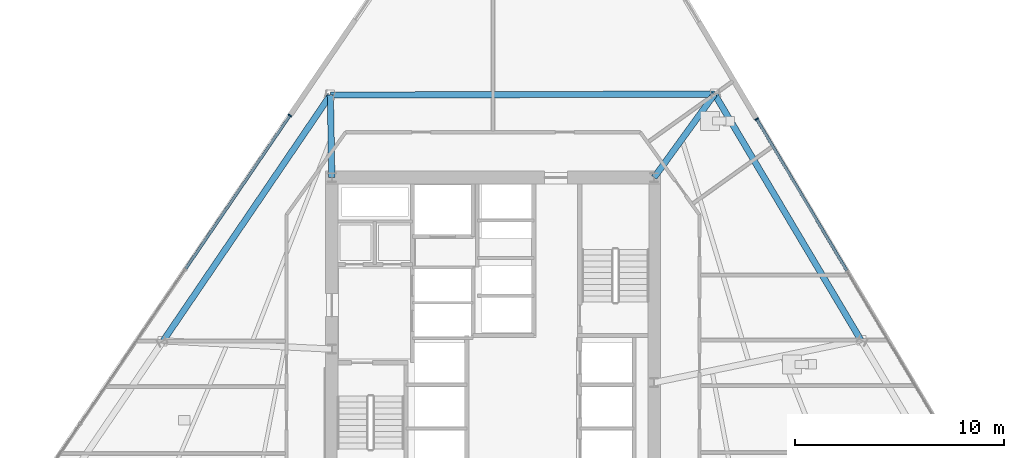
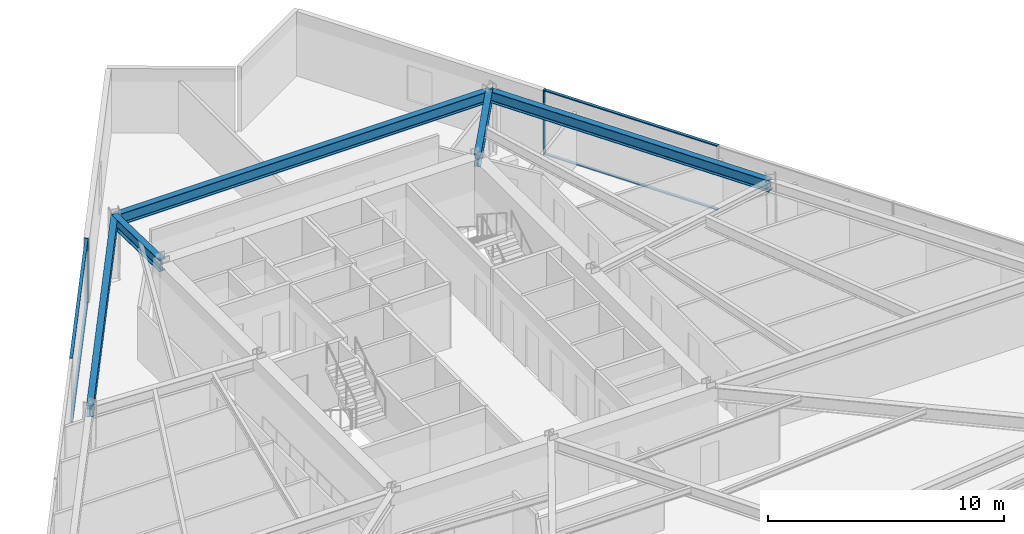
# One storey, part 7 of 18: 6 members, 5 beams, 2 elements without a shape of their own.
"""IFC4 building model written with IfcOpenShell, lengths in metres."""

import ifcopenshell
import ifcopenshell.guid

model = None  # the IFC model being written
_history = None  # IfcOwnerHistory: only IFC2X3 demands one
_inside = {}  # id of a spatial element -> (the spatial element, [elements in it])
_under = {}  # id of a project, library or spatial element -> (it, [spatial elements below it])
_declared = {}  # id of a project -> (the project, [libraries it declares])
_typed = {}  # id of a type object -> (the type object, [elements of that type])
_made_of = {}  # id of a material, layer set ... -> (it, [elements and type objects made of it])


def new_model(schema):
    """Start an empty IFC model of exactly this schema.

    Asked for "IFC4X3", IfcOpenShell would pick the latest addendum, in which some entities
    have other attributes; the version numbers below select the first issue.
    IFC2X3 requires an IfcOwnerHistory on every rooted entity: one is made here for all.
    """
    global model, _history
    if schema == "IFC4X3":
        model = ifcopenshell.file(schema_version=(4, 3, 0, 0))
    else:
        model = ifcopenshell.file(schema=schema)
    _inside.clear()
    _under.clear()
    _declared.clear()
    _typed.clear()
    _made_of.clear()
    _history = None
    if model.schema == "IFC2X3":
        org = make("IfcOrganization", Name="unknown")
        user = make(
            "IfcPersonAndOrganization",
            ThePerson=make("IfcPerson", FamilyName="unknown"),
            TheOrganization=org,
        )
        app = make(
            "IfcApplication",
            ApplicationDeveloper=org,
            Version="unknown",
            ApplicationFullName="unknown",
            ApplicationIdentifier="unknown",
        )
        _history = make(
            "IfcOwnerHistory",
            OwningUser=user,
            OwningApplication=app,
            ChangeAction="ADDED",
            CreationDate=0,
        )
    return model


def make(cls, **values):
    """One entity of the class cls with the attributes given. An attribute that is None is left unset."""
    return model.create_entity(
        cls, **{name: value for name, value in values.items() if value is not None}
    )


def rooted(cls, **values):
    """An entity with a GlobalId (a new one), such as an element, a storey or a relation."""
    return make(cls, GlobalId=ifcopenshell.guid.new(), OwnerHistory=_history, **values)


def si_unit(unit_type, name, prefix=None):
    """IfcSIUnit, for example si_unit("LENGTHUNIT", "METRE", prefix="MILLI")."""
    return make("IfcSIUnit", UnitType=unit_type, Prefix=prefix, Name=name)


def assignment(units):
    """IfcUnitAssignment: the units of a project."""
    return None if units is None else make("IfcUnitAssignment", Units=units)


def point(xyz):
    """IfcCartesianPoint."""
    return None if xyz is None else make("IfcCartesianPoint", Coordinates=xyz)


def direction(xyz):
    """IfcDirection."""
    return None if xyz is None else make("IfcDirection", DirectionRatios=xyz)


def frame(location, z_axis=None, x_axis=None):
    """IfcAxis2Placement3D, a coordinate frame: its origin and axes. An axis left out is left unset."""
    return make(
        "IfcAxis2Placement3D",
        Location=point(location),
        Axis=direction(z_axis),
        RefDirection=direction(x_axis),
    )


def frame_2d(location, x_axis=None):
    """IfcAxis2Placement2D, a coordinate frame in the plane: its origin and x axis."""
    return make(
        "IfcAxis2Placement2D", Location=point(location), RefDirection=direction(x_axis)
    )


def origin():
    """The frame at (0, 0, 0) with its axes left unset."""
    return frame((0.0, 0.0, 0.0))


def origin_2d():
    """The frame at (0, 0) in the plane with its x axis left unset."""
    return frame_2d((0.0, 0.0))


def place(relative_to, where):
    """IfcLocalPlacement: puts the frame where relative to a parent placement (None: the world)."""
    return make(
        "IfcLocalPlacement", PlacementRelTo=relative_to, RelativePlacement=where
    )


def context(
    kind, dimensions, precision=None, world=None, true_north=None, identifier=None
):
    """IfcGeometricRepresentationContext, for example the 3D "Model" context."""
    return make(
        "IfcGeometricRepresentationContext",
        ContextIdentifier=identifier,
        ContextType=kind,
        CoordinateSpaceDimension=dimensions,
        Precision=precision,
        WorldCoordinateSystem=world,
        TrueNorth=true_north,
    )


def subcontext(parent, identifier, kind, view, scale=None):
    """IfcGeometricRepresentationSubContext, for example "Body" below "Model"."""
    return make(
        "IfcGeometricRepresentationSubContext",
        ContextIdentifier=identifier,
        ContextType=kind,
        ParentContext=parent,
        TargetScale=scale,
        TargetView=view,
    )


def project(units=None, contexts=None):
    """IfcProject with its units and contexts."""
    return rooted(
        "IfcProject",
        Name="project",
        RepresentationContexts=contexts,
        UnitsInContext=assignment(units),
    )


def spatial(cls, under=None, at=None, **own):
    """A site, building, storey or space (cls), placed at a placement, below another one or the project."""
    s = rooted(cls, ObjectPlacement=at, **own)
    if under is not None:
        _under.setdefault(under.id(), (under, []))[1].append(s)
    return s


def profile(cls, at=None, kind="AREA", **sizes):
    """A parametric profile (cls). Its sizes go by their IFC names, for example OverallWidth=200.0."""
    return make(cls, ProfileType=kind, Position=at, **sizes)


def rectangle(**sizes):
    """IfcRectangleProfileDef."""
    return profile("IfcRectangleProfileDef", **sizes)


def i_section(**sizes):
    """IfcIShapeProfileDef."""
    return profile("IfcIShapeProfileDef", **sizes)


def extrude(swept, where, along, depth):
    """IfcExtrudedAreaSolid: the profile swept, set in the frame where, extruded along a direction by depth."""
    return make(
        "IfcExtrudedAreaSolid",
        SweptArea=swept,
        Position=where,
        ExtrudedDirection=direction(along),
        Depth=depth,
    )


def shape(context_of_items, identifier, shape_type, items):
    """IfcShapeRepresentation: the items that make up one representation, for example the "Body"."""
    return make(
        "IfcShapeRepresentation",
        ContextOfItems=context_of_items,
        RepresentationIdentifier=identifier,
        RepresentationType=shape_type,
        Items=items,
    )


def material(Name=None, Category=None):
    """IfcMaterial."""
    return make("IfcMaterial", Name=Name, Category=Category)


def material_profile(
    of_material, cross_section, Name=None, Category=None, Priority=None
):
    """IfcMaterialProfile: a cross section and its material."""
    return make(
        "IfcMaterialProfile",
        Name=Name,
        Material=of_material,
        Profile=cross_section,
        Priority=Priority,
        Category=Category,
    )


def profile_set(profiles, Name=None, composite=None):
    """IfcMaterialProfileSet."""
    return make(
        "IfcMaterialProfileSet",
        Name=Name,
        MaterialProfiles=profiles,
        CompositeProfile=composite,
    )


def made_of(thing, what):
    """Note that an element or type object is made of a material, layer set ...; save() writes the relation."""
    if what is not None:
        _made_of.setdefault(what.id(), (what, []))[1].append(thing)
    return thing


def type_object(cls, material=None, **own):
    """A type object (cls), such as IfcWallType, which elements share."""
    return made_of(rooted(cls, **own), material)


def element(
    cls,
    number,
    at=None,
    inside=None,
    cuts=None,
    type_object=None,
    material=None,
    context=None,
    identifier="Body",
    shape_type=None,
    held_by="IfcProductDefinitionShape",
    body=None,
    shapes=None,
    **own,
):
    """One element of the class cls, such as IfcWall. Its Tag is "e" and its number.

    at: its placement. inside: the storey or other place that contains it. cuts: it is an
    opening in that element (IfcRelVoidsElement). A single representation is given by context,
    identifier, shape_type and body (its items); several are given by shapes. held_by: the class
    of the entity that holds the representations. save() writes the other relations.
    """
    e = rooted(cls, Tag="e%d" % number, ObjectPlacement=at, **own)
    if body is not None:
        shapes = [shape(context, identifier, shape_type, body)]
    if shapes is not None:
        e.Representation = make(held_by, Representations=shapes)
    if inside is not None:
        _inside.setdefault(inside.id(), (inside, []))[1].append(e)
    if cuts is not None:
        rooted(
            "IfcRelVoidsElement", RelatingBuildingElement=cuts, RelatedOpeningElement=e
        )
    if type_object is not None:
        _typed.setdefault(type_object.id(), (type_object, []))[1].append(e)
    return made_of(e, material)


def aggregate(whole, parts):
    """IfcRelAggregates: a whole, such as a stair, and the parts it consists of."""
    return rooted("IfcRelAggregates", RelatingObject=whole, RelatedObjects=parts)


def save(model, path):
    """Write the relations noted so far, then the file.

    IfcRelAggregates (storeys below a building ...), IfcRelContainedInSpatialStructure (elements
    in a storey), IfcRelDefinesByType, IfcRelAssociatesMaterial and IfcRelDeclares: one each for
    every whole, place, type object, material and project.
    """
    for whole, parts in _under.values():
        aggregate(whole, parts)
    for where, things in _inside.values():
        rooted(
            "IfcRelContainedInSpatialStructure",
            RelatedElements=things,
            RelatingStructure=where,
        )
    for kind, things in _typed.values():
        rooted("IfcRelDefinesByType", RelatedObjects=things, RelatingType=kind)
    for what, things in _made_of.values():
        rooted("IfcRelAssociatesMaterial", RelatedObjects=things, RelatingMaterial=what)
    for by, libraries in _declared.values():
        rooted("IfcRelDeclares", RelatingContext=by, RelatedDefinitions=libraries)
    model.write(path)


model = new_model("IFC4")

# Units and contexts
model_context = context("Model", 3, precision=1e-05, world=origin(), true_north=direction((0.0, 1.0)))
body_context = subcontext(model_context, "Body", "Model", "MODEL_VIEW")
ifc_project = project(units=[si_unit("LENGTHUNIT", "METRE"), si_unit("AREAUNIT", "SQUARE_METRE"), si_unit("VOLUMEUNIT", "CUBIC_METRE"), si_unit("PLANEANGLEUNIT", "RADIAN"), si_unit("MASSUNIT", "GRAM", prefix="KILO")], contexts=[model_context])

# Site, building, storey
site_placement = place(None, origin())
site = spatial("IfcSite", under=ifc_project, at=site_placement, CompositionType="ELEMENT")
building_placement = place(site_placement, origin())
building = spatial("IfcBuilding", under=site, at=building_placement, Name="Savorim Split Tower", CompositionType="ELEMENT")
storey_placement = place(building_placement, frame((0.0, 0.0, 48.0)))
storey = spatial("IfcBuildingStorey", under=building, at=storey_placement, Name="L12", CompositionType="ELEMENT", Elevation=48.0)

# Beams
ifc_material_1 = material(Name="Steel S355", Category="steel")
ifc_material_profile_1 = material_profile(ifc_material_1, i_section(OverallWidth=0.300048828125, OverallDepth=0.60009765625, WebThickness=0.015380859375, FlangeThickness=0.030029296875, FilletRadius=0.027099609375, at=origin_2d()), Name="HEB 600")
ifc_profile_set_1 = profile_set([ifc_material_profile_1], Name="Steel S355")
beam_type_1 = type_object("IfcBeamType", Name="BM-PRI-HEB600", PredefinedType="BEAM", material=ifc_profile_set_1)
beam_1_placement = place(storey_placement, frame((10.58935546875, 14.186279296875, 3.050048828125), z_axis=(-0.586876557832, -0.809676420471, 0.0), x_axis=(0.809676420471, -0.586876557832, 0.0)))
element("IfcBeam", 1, at=beam_1_placement, inside=storey, type_object=beam_type_1, Name="L12 Primary Floor Girder RG-07", PredefinedType="BEAM", context=body_context, shape_type="SweptSolid", body=[
    extrude(i_section(OverallWidth=0.300048828125, OverallDepth=0.60009765625, WebThickness=0.015380859375, FlangeThickness=0.030029296875, FilletRadius=0.027099609375, at=origin_2d()), origin(), (0.0, 0.0, 1.0), 4.92333984375),
])
beam_2_placement = place(storey_placement, frame((-7.7705078125, 14.137451171875, 3.050048828125), z_axis=(0.017916270636, -0.999839490742, 0.0), x_axis=(0.999839490742, 0.017916270636, 0.0)))
element("IfcBeam", 2, at=beam_2_placement, inside=storey, type_object=beam_type_1, Name="L12 Primary Floor Girder RG-08", PredefinedType="BEAM", context=body_context, shape_type="SweptSolid", body=[
    extrude(i_section(OverallWidth=0.300048828125, OverallDepth=0.60009765625, WebThickness=0.015380859375, FlangeThickness=0.030029296875, FilletRadius=0.027099609375, at=origin_2d()), origin(), (0.0, 0.0, 1.0), 3.938232421875),
])
ifc_material_profile_2 = material_profile(ifc_material_1, i_section(OverallWidth=0.300048828125, OverallDepth=0.590087890625, WebThickness=0.012939453125, FlangeThickness=0.02490234375, FilletRadius=0.027099609375, at=origin_2d()), Name="HEA 600")
ifc_profile_set_2 = profile_set([ifc_material_profile_2], Name="Steel S355")
beam_type_2 = type_object("IfcBeamType", Name="BM-SPN-HEA600", PredefinedType="SPANDREL", material=ifc_profile_set_2)
beam_3_placement = place(storey_placement, frame((17.572021484375, 2.443115234375, 3.054931640625), z_axis=(-0.511088594916, 0.859528038022, 0.0), x_axis=(-0.859528038022, -0.511088594916, 0.0)))
element("IfcBeam", 3, at=beam_3_placement, inside=storey, type_object=beam_type_2, Name="L12 Perimeter Spandrel Beam 6", PredefinedType="SPANDREL", context=body_context, shape_type="SweptSolid", body=[
    extrude(i_section(OverallWidth=0.300048828125, OverallDepth=0.590087890625, WebThickness=0.012939453125, FlangeThickness=0.02490234375, FilletRadius=0.027099609375, at=origin_2d()), origin(), (0.0, 0.0, 1.0), 13.662353515625),
])
beam_4_placement = place(storey_placement, frame((10.58935546875, 14.186279296875, 3.054931640625), z_axis=(-0.999996463539, -0.002659494331, 0.0), x_axis=(0.002659494331, -0.999996463539, 0.0)))
element("IfcBeam", 4, at=beam_4_placement, inside=storey, type_object=beam_type_2, Name="L12 Perimeter Spandrel Beam 7", PredefinedType="SPANDREL", context=body_context, shape_type="SweptSolid", body=[
    extrude(i_section(OverallWidth=0.300048828125, OverallDepth=0.590087890625, WebThickness=0.012939453125, FlangeThickness=0.02490234375, FilletRadius=0.027099609375, at=origin_2d()), origin(), (0.0, 0.0, 1.0), 18.35986328125),
])
beam_5_placement = place(storey_placement, frame((-7.7705078125, 14.137451171875, 3.054931640625), z_axis=(-0.56246281922, -0.82682257891, 0.0), x_axis=(0.82682257891, -0.56246281922, 0.0)))
element("IfcBeam", 5, at=beam_5_placement, inside=storey, type_object=beam_type_2, Name="L12 Perimeter Spandrel Beam 8", PredefinedType="SPANDREL", context=body_context, shape_type="SweptSolid", body=[
    extrude(i_section(OverallWidth=0.300048828125, OverallDepth=0.590087890625, WebThickness=0.012939453125, FlangeThickness=0.02490234375, FilletRadius=0.027099609375, at=origin_2d()), origin(), (0.0, 0.0, 1.0), 14.202880859375),
])

# Curtain wall, member
ifc_material_2 = material(Name="Dark Ceramic-Fritted Insulated Glass", Category="glass")
curtain_wall_type = type_object("IfcCurtainWallType", Name="CW-TWR-FRIT-A", PredefinedType="NOTDEFINED", material=ifc_material_2)
curtain_wall_1_placement = place(storey_placement, origin())
curtain_wall_1 = element("IfcCurtainWall", 6, at=curtain_wall_1_placement, inside=storey, type_object=curtain_wall_type, Name="L12 Curtain Wall CW-L12-EAST", PredefinedType="NOTDEFINED")
ifc_material_3 = material(Name="Charcoal Anodised Aluminium", Category="aluminium")
ifc_material_profile_3 = material_profile(ifc_material_3, rectangle(XDim=0.179931640625, YDim=0.06494140625, at=origin_2d()), Name="ALU-M 180x65")
ifc_profile_set_3 = profile_set([ifc_material_profile_3], Name="Charcoal Anodised Aluminium")
member_type_1 = type_object("IfcMemberType", Name="CWM-180x65", PredefinedType="MULLION", material=ifc_profile_set_3)
member_1_placement = place(storey_placement, frame((12.599609375, 12.991455078125, 0.0), z_axis=(0.0, 0.0, 1.0), x_axis=(-0.859525752007, -0.511092439425, 0.0)))
member_1 = element("IfcMember", 7, at=member_1_placement, type_object=member_type_1, Name="CW-02 mullion 5", PredefinedType="MULLION", context=body_context, shape_type="SweptSolid", body=[
    extrude(rectangle(XDim=0.179931640625, YDim=0.06494140625, at=origin_2d()), origin(), (0.0, 0.0, 1.0), 3.35009765625),
])

curtain_wall_2_placement = place(storey_placement, origin())
curtain_wall_2 = element("IfcCurtainWall", 8, at=curtain_wall_2_placement, inside=storey, type_object=curtain_wall_type, Name="L12 Curtain Wall CW-L12-WEST", PredefinedType="NOTDEFINED")
member_2_placement = place(storey_placement, frame((-9.702392578125, 13.1640625, 0.0), z_axis=(0.0, 0.0, 1.0), x_axis=(0.826820923165, -0.562465253164, 0.0)))
member_2 = element("IfcMember", 9, at=member_2_placement, type_object=member_type_1, Name="CW-02 mullion 1", PredefinedType="MULLION", context=body_context, shape_type="SweptSolid", body=[
    extrude(rectangle(XDim=0.179931640625, YDim=0.06494140625, at=origin_2d()), origin(), (0.0, 0.0, 1.0), 3.35009765625),
])

# Member
ifc_material_profile_4 = material_profile(ifc_material_3, rectangle(XDim=0.139892578125, YDim=0.054931640625, at=origin_2d()), Name="ALU-T 140x55")
ifc_profile_set_4 = profile_set([ifc_material_profile_4], Name="Charcoal Anodised Aluminium")
member_type_2 = type_object("IfcMemberType", Name="CWT-140x55", PredefinedType="USERDEFINED", material=ifc_profile_set_4)
member_3_placement = place(storey_placement, frame((16.90673828125, 5.748046875, 0.027587890625), z_axis=(-0.511091652485, 0.859526219938, 0.0), x_axis=(-0.859526219938, -0.511091652485, 0.0)))
member_3 = element("IfcMember", 10, at=member_3_placement, type_object=member_type_2, Name="CW-02 transom 4.1", ObjectType="TRANSOM", PredefinedType="USERDEFINED", context=body_context, shape_type="SweptSolid", body=[
    extrude(rectangle(XDim=0.139892578125, YDim=0.054931640625, at=origin_2d()), origin(), (0.0, 0.0, 1.0), 8.394775390625),
])

member_4_placement = place(storey_placement, frame((16.90673828125, 5.748046875, 3.322509765625), z_axis=(-0.511091652485, 0.859526219938, 0.0), x_axis=(-0.859526219938, -0.511091652485, 0.0)))
member_4 = element("IfcMember", 11, at=member_4_placement, type_object=member_type_2, Name="CW-02 transom 4.2", ObjectType="TRANSOM", PredefinedType="USERDEFINED", context=body_context, shape_type="SweptSolid", body=[
    extrude(rectangle(XDim=0.139892578125, YDim=0.054931640625, at=origin_2d()), origin(), (0.0, 0.0, 1.0), 8.394775390625),
])

aggregate(curtain_wall_1, [member_1, member_3, member_4])

member_5_placement = place(storey_placement, frame((-9.720458984375, 13.13720703125, 0.027587890625), z_axis=(-0.562479559143, -0.82681119099, 0.0), x_axis=(0.82681119099, -0.562479559143, 0.0)))
member_5 = element("IfcMember", 12, at=member_5_placement, type_object=member_type_2, Name="CW-02 transom 1.1", ObjectType="TRANSOM", PredefinedType="USERDEFINED", context=body_context, shape_type="SweptSolid", body=[
    extrude(rectangle(XDim=0.139892578125, YDim=0.054931640625, at=origin_2d()), origin(), (0.0, 0.0, 1.0), 8.822265625),
])

member_6_placement = place(storey_placement, frame((-9.720458984375, 13.13720703125, 3.322509765625), z_axis=(-0.562479559143, -0.82681119099, 0.0), x_axis=(0.82681119099, -0.562479559143, 0.0)))
member_6 = element("IfcMember", 13, at=member_6_placement, type_object=member_type_2, Name="CW-02 transom 1.2", ObjectType="TRANSOM", PredefinedType="USERDEFINED", context=body_context, shape_type="SweptSolid", body=[
    extrude(rectangle(XDim=0.139892578125, YDim=0.054931640625, at=origin_2d()), origin(), (0.0, 0.0, 1.0), 8.822265625),
])

aggregate(curtain_wall_2, [member_2, member_5, member_6])

save(model, "model.ifc")
